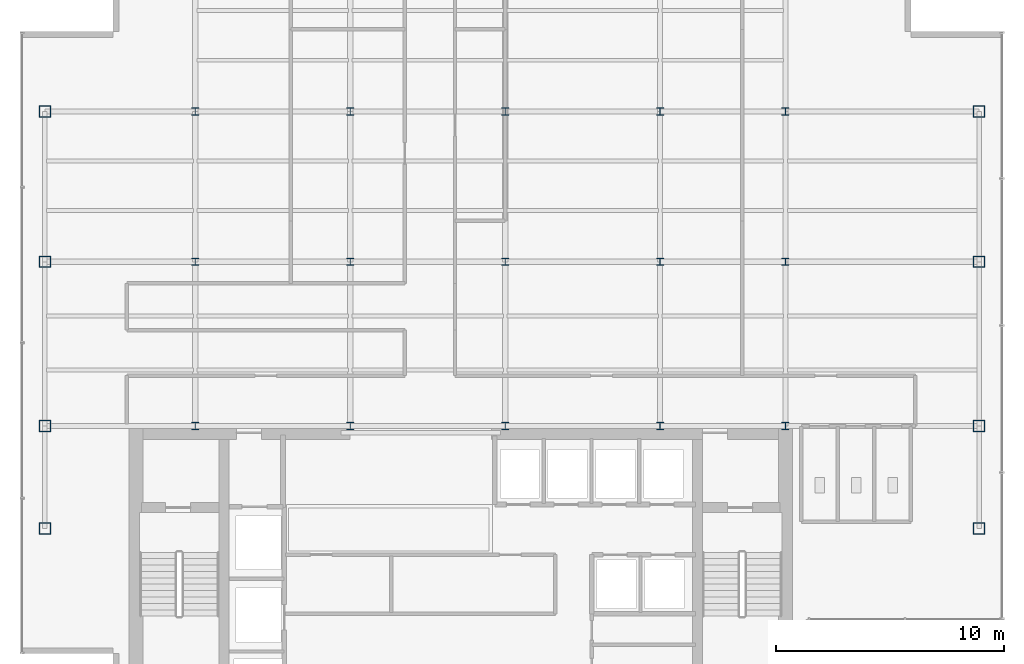
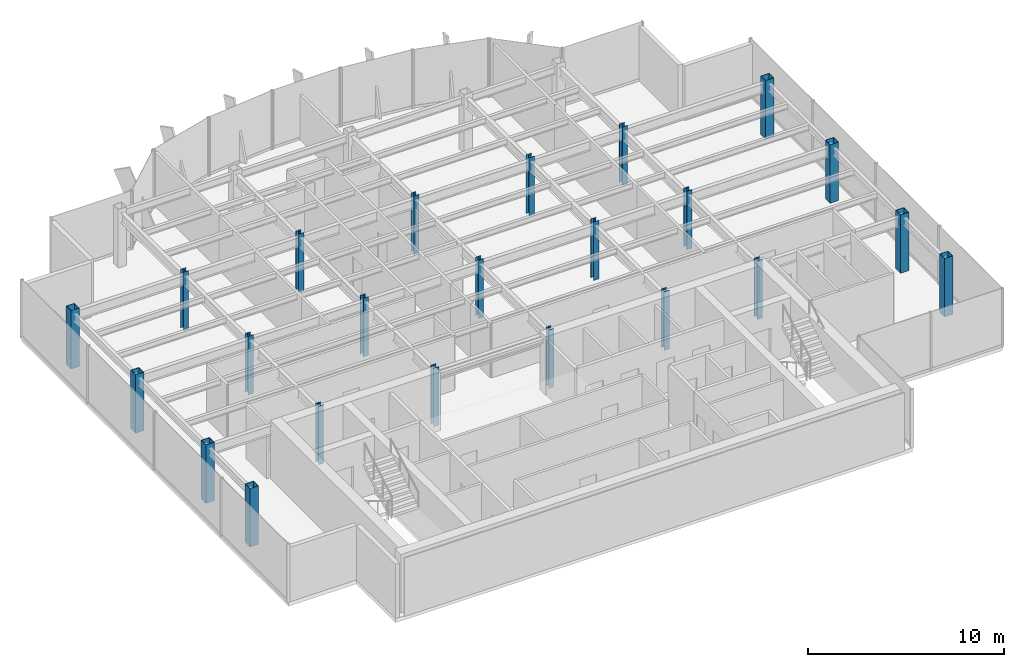
# One storey, part 1 of 22: 23 columns.
"""IFC4 building model written with IfcOpenShell, lengths in metres."""

from ifc_helpers import new_model, si_unit, derived_unit, direction, frame, origin, origin_2d, place, context, subcontext, project, spatial, hollow_rectangle, i_section, extrude, source, transform, mapped, material, material_profile, profile_set, type_object, element, save


model = new_model("IFC4")

# Units and contexts
model_context = context("Model", 3, precision=1e-05, world=origin(), true_north=direction((0.0, 1.0)))
body_context = subcontext(model_context, "Body", "Model", "MODEL_VIEW")
ifc_project = project(units=[si_unit("LENGTHUNIT", "METRE"), si_unit("AREAUNIT", "SQUARE_METRE"), si_unit("VOLUMEUNIT", "CUBIC_METRE"), si_unit("PLANEANGLEUNIT", "RADIAN"), si_unit("MASSUNIT", "GRAM", prefix="KILO"), derived_unit("THERMALTRANSMITTANCEUNIT", [(si_unit("POWERUNIT", "WATT"), 1), (si_unit("LENGTHUNIT", "METRE"), -2), (si_unit("THERMODYNAMICTEMPERATUREUNIT", "KELVIN"), -1)])], contexts=[model_context])

# Site, building, storey
site_placement = place(None, origin())
site = spatial("IfcSite", under=ifc_project, at=site_placement, CompositionType="ELEMENT")
building_placement = place(site_placement, origin())
building = spatial("IfcBuilding", under=site, at=building_placement, Name="Skarnbrae Concourse Arena and Tower", CompositionType="ELEMENT")
storey_placement = place(building_placement, frame((0.0, 0.0, 228.75)))
storey = spatial("IfcBuildingStorey", under=building, at=storey_placement, Name="L59", CompositionType="ELEMENT", Elevation=228.75)

# Columns
ifc_material = material(Name="Steel CSA G40.21 350W", Category="steel")
ifc_material_profile_1 = material_profile(ifc_material, hollow_rectangle(XDim=0.5, YDim=0.5, WallThickness=0.02197265625, at=origin_2d()), Name="HSS500X500X22.0")
ifc_profile_set_1 = profile_set([ifc_material_profile_1], Name="Steel CSA G40.21 350W")
column_type_1 = type_object("IfcColumnType", Name="COL-TUBE-HSS500", PredefinedType="COLUMN", material=ifc_profile_set_1)
shared_shape_1 = source(origin(), body_context, "Body", "SweptSolid", [
    extrude(hollow_rectangle(XDim=0.5, YDim=0.5, WallThickness=0.02197265625, at=origin_2d()), origin(), (0.0, 0.0, 1.0), 3.64990234375),
])
for number, where, z_axis, x_axis, name in (
    (1, (1.0, 9.5, 0.0), (0.0, 0.0, 1.0), (1.0, 0.0, 0.0), "L59 Tower column PC_01_01"),
    (2, (1.0, 14.0, 0.0), (0.0, 0.0, 1.0), (1.0, 0.0, 0.0), "L59 Tower column PC_01_02"),
    (3, (1.0, 21.199951171875, 0.0), (0.0, 0.0, 1.0), (1.0, 0.0, 0.0), "L59 Tower column PC_01_03"),
    (4, (1.0, 27.800048828125, 0.0), (0.0, 0.0, 1.0), (1.0, 0.0, 0.0), "L59 Tower column PC_01_04"),
    (5, (42.0, 9.5, 0.0), (0.0, 0.0, 1.0), (1.0, 0.0, 0.0), "L59 Tower column PC_07_01"),
    (6, (42.0, 14.0, 0.0), (0.0, 0.0, 1.0), (1.0, 0.0, 0.0), "L59 Tower column PC_07_02"),
    (7, (42.0, 21.199951171875, 0.0), (0.0, 0.0, 1.0), (1.0, 0.0, 0.0), "L59 Tower column PC_07_03"),
    (8, (42.0, 27.800048828125, 0.0), (0.0, 0.0, 1.0), (1.0, 0.0, 0.0), "L59 Tower column PC_07_04"),
):
    element("IfcColumn", number, at=place(storey_placement, frame(where, z_axis=z_axis, x_axis=x_axis)), inside=storey, type_object=column_type_1, Name=name, PredefinedType="COLUMN", context=body_context, shape_type="MappedRepresentation", body=[
        mapped(shared_shape_1, transform((0.0, 0.0, 0.0))),
    ])
ifc_material_profile_2 = material_profile(ifc_material, i_section(OverallWidth=0.30908203125, OverallDepth=0.322998046875, WebThickness=0.013916015625, FlangeThickness=0.02294921875, at=origin_2d()), Name="W310X143")
ifc_profile_set_2 = profile_set([ifc_material_profile_2], Name="Steel CSA G40.21 350W")
column_type_2 = type_object("IfcColumnType", Name="COL-INT-W310X143", PredefinedType="COLUMN", material=ifc_profile_set_2)
shared_shape_2 = source(origin(), body_context, "Body", "SweptSolid", [
    extrude(i_section(OverallWidth=0.30908203125, OverallDepth=0.322998046875, WebThickness=0.013916015625, FlangeThickness=0.02294921875, at=origin_2d()), origin(), (0.0, 0.0, 1.0), 3.64990234375),
])
for number, where, z_axis, x_axis, name in (
    (9, (7.60009765625, 14.0, 0.0), (0.0, 0.0, 1.0), (1.0, 0.0, 0.0), "L59 Tower column IC_02_02"),
    (10, (7.60009765625, 21.199951171875, 0.0), (0.0, 0.0, 1.0), (1.0, 0.0, 0.0), "L59 Tower column IC_02_03"),
    (11, (7.60009765625, 27.800048828125, 0.0), (0.0, 0.0, 1.0), (1.0, 0.0, 0.0), "L59 Tower column IC_02_04"),
    (12, (14.39990234375, 14.0, 0.0), (0.0, 0.0, 1.0), (1.0, 0.0, 0.0), "L59 Tower column IC_03_02"),
    (13, (14.39990234375, 21.199951171875, 0.0), (0.0, 0.0, 1.0), (1.0, 0.0, 0.0), "L59 Tower column IC_03_03"),
    (14, (14.39990234375, 27.800048828125, 0.0), (0.0, 0.0, 1.0), (1.0, 0.0, 0.0), "L59 Tower column IC_03_04"),
    (15, (21.199951171875, 14.0, 0.0), (0.0, 0.0, 1.0), (1.0, 0.0, 0.0), "L59 Tower column IC_04_02"),
    (16, (21.199951171875, 21.199951171875, 0.0), (0.0, 0.0, 1.0), (1.0, 0.0, 0.0), "L59 Tower column IC_04_03"),
    (17, (21.199951171875, 27.800048828125, 0.0), (0.0, 0.0, 1.0), (1.0, 0.0, 0.0), "L59 Tower column IC_04_04"),
    (18, (28.0, 14.0, 0.0), (0.0, 0.0, 1.0), (1.0, 0.0, 0.0), "L59 Tower column IC_05_02"),
    (19, (28.0, 21.199951171875, 0.0), (0.0, 0.0, 1.0), (1.0, 0.0, 0.0), "L59 Tower column IC_05_03"),
    (20, (28.0, 27.800048828125, 0.0), (0.0, 0.0, 1.0), (1.0, 0.0, 0.0), "L59 Tower column IC_05_04"),
    (21, (33.5, 14.0, 0.0), (0.0, 0.0, 1.0), (1.0, 0.0, 0.0), "L59 Tower column IC_06_02"),
    (22, (33.5, 21.199951171875, 0.0), (0.0, 0.0, 1.0), (1.0, 0.0, 0.0), "L59 Tower column IC_06_03"),
    (23, (33.5, 27.800048828125, 0.0), (0.0, 0.0, 1.0), (1.0, 0.0, 0.0), "L59 Tower column IC_06_04"),
):
    element("IfcColumn", number, at=place(storey_placement, frame(where, z_axis=z_axis, x_axis=x_axis)), inside=storey, type_object=column_type_2, Name=name, PredefinedType="COLUMN", context=body_context, shape_type="MappedRepresentation", body=[
        mapped(shared_shape_2, transform((0.0, 0.0, 0.0))),
    ])

save(model, "model.ifc")
